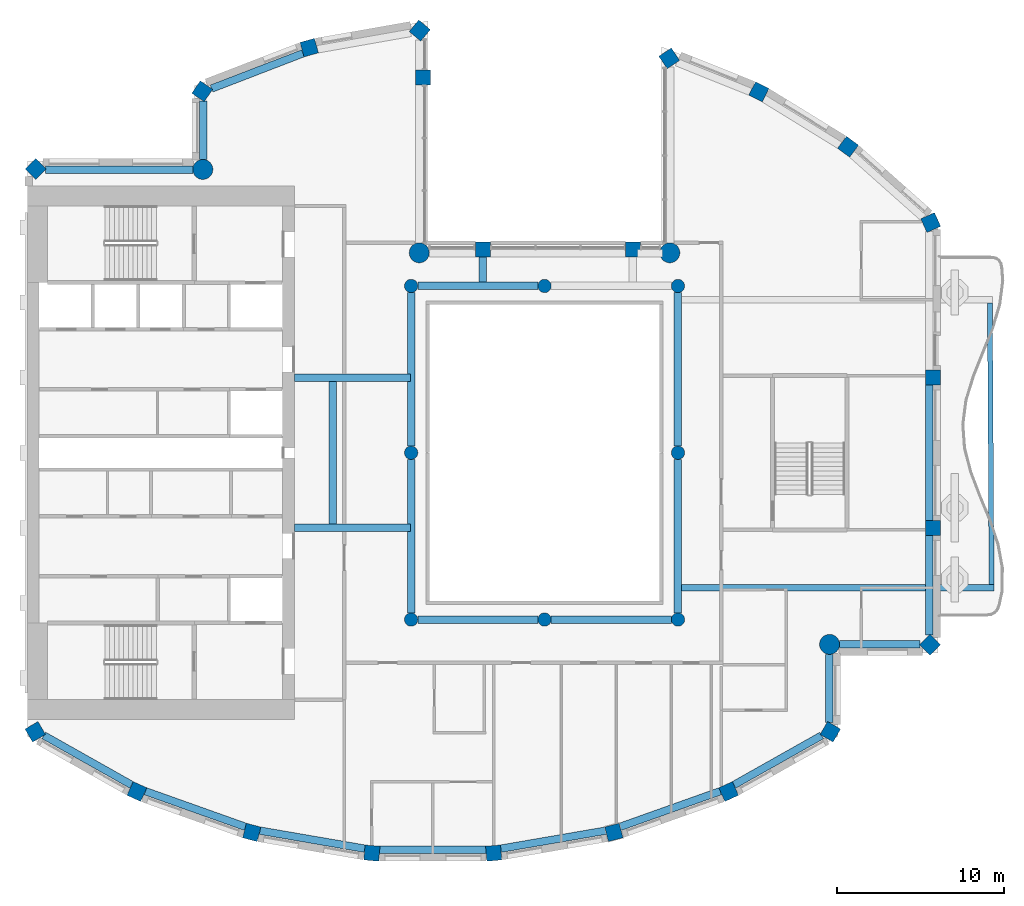
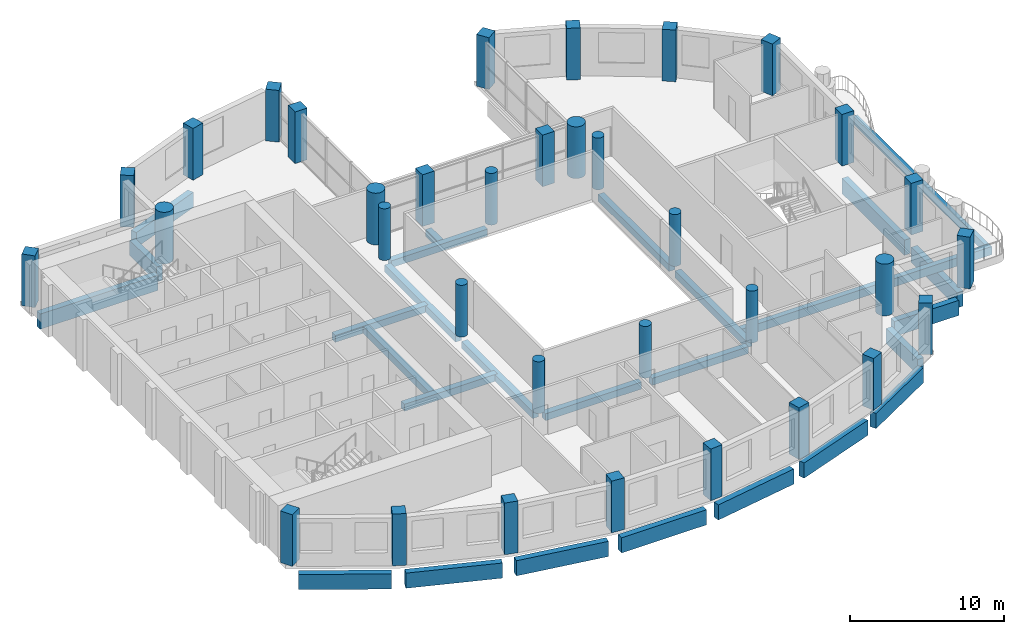
# One storey, part 1 of 15: 34 columns, 27 beams.
"""IFC4 building model written with IfcOpenShell, lengths in metres."""

from ifc_helpers import new_model, si_unit, direction, frame, origin, origin_2d, place, context, subcontext, project, spatial, rectangle, circle, extrude, material, material_profile, profile_set, type_object, element, save


model = new_model("IFC4")

# Units and contexts
model_context = context("Model", 3, precision=1e-05, world=origin(), true_north=direction((0.0, 1.0)))
body_context = subcontext(model_context, "Body", "Model", "MODEL_VIEW")
ifc_project = project(units=[si_unit("LENGTHUNIT", "METRE"), si_unit("AREAUNIT", "SQUARE_METRE"), si_unit("VOLUMEUNIT", "CUBIC_METRE"), si_unit("PLANEANGLEUNIT", "RADIAN"), si_unit("MASSUNIT", "GRAM", prefix="KILO")], contexts=[model_context])

# Site, building, storey
site_placement = place(None, origin())
site = spatial("IfcSite", under=ifc_project, at=site_placement, CompositionType="ELEMENT")
building_placement = place(site_placement, origin())
building = spatial("IfcBuilding", under=site, at=building_placement, Name="Cypress Arch Tower", CompositionType="ELEMENT")
storey_placement = place(building_placement, frame((0.0, 0.0, 317.199951171875)))
storey = spatial("IfcBuildingStorey", under=building, at=storey_placement, Name="L72", CompositionType="ELEMENT", Elevation=317.199951171875)

# Columns
ifc_material_1 = material(Name="Concrete C60/75", Category="concrete")
ifc_material_profile_1 = material_profile(ifc_material_1, rectangle(XDim=0.89990234375, YDim=0.89990234375, at=origin_2d()), Name="RC 900x900")
ifc_profile_set_1 = profile_set([ifc_material_profile_1], Name="Concrete C60/75")
column_type_1 = type_object("IfcColumnType", Name="Column RC 900x900 Concrete C60/75", PredefinedType="COLUMN", material=ifc_profile_set_1)
for number, where, z_axis, x_axis, name in (
    (1, (8.474853515625, 23.6474609375, 0.0), (0.0, 0.0, 1.0), (-0.828469606019, -0.560034027451, 0.0), "Column L72 CC00"),
    (2, (6.300048828125, 12.199951171875, 0.0), (0.0, 0.0, 1.0), (-1.0, 0.0, 0.0), "Column L72 CC02"),
    (3, (-2.699951171875, 12.199951171875, 0.0), (0.0, 0.0, 1.0), (-1.0, 0.0, 0.0), "Column L72 CC03"),
    (4, (-6.300048828125, 22.5, 0.0), (0.0, 0.0, 1.0), (0.0, 1.0, 0.0), "Column L72 CC05"),
    (5, (-6.48388671875, 25.313232421875, 0.0), (0.0, 0.0, 1.0), (-0.766063514674, 0.642764880407, 0.0), "Column L72 CC06"),
    (6, (-13.108154296875, 24.28955078125, 0.0), (0.0, 0.0, 1.0), (-0.96345574646, -0.267867550506, 0.0), "Column L72 CC07"),
    (7, (-19.5244140625, 21.673583984375, 0.0), (0.0, 0.0, 1.0), (-0.565892599589, -0.824478966215, 0.0), "Column L72 CC08"),
    (8, (-29.513671875, 17.013671875, 0.0), (0.0, 0.0, 1.0), (-0.707106781187, -0.707106781187, 0.0), "Column L72 CC10"),
    (9, (-29.534423828125, -16.72802734375, 0.0), (0.0, 0.0, 1.0), (0.504399289829, -0.86347053014, 0.0), "Column L72 CC11"),
    (10, (-23.439697265625, -20.312255859375, 0.0), (0.0, 0.0, 1.0), (0.909932071487, -0.414757308891, 0.0), "Column L72 CC12"),
    (11, (-16.55419921875, -22.762939453125, 0.0), (0.0, 0.0, 1.0), (0.96735573689, -0.2534223319, 0.0), "Column L72 CC13"),
    (12, (-9.351318359375, -24.00341796875, 0.0), (0.0, 0.0, 1.0), (0.996368206733, -0.085149260784, 0.0), "Column L72 CC14"),
    (13, (-2.048828125, -24.00341796875, 0.0), (0.0, 0.0, 1.0), (0.996368206733, 0.085149260784, 0.0), "Column L72 CC15"),
    (14, (5.154296875, -22.762939453125, 0.0), (0.0, 0.0, 1.0), (0.96735573689, 0.2534223319, 0.0), "Column L72 CC16"),
    (15, (12.039794921875, -20.312255859375, 0.0), (0.0, 0.0, 1.0), (0.909932071487, 0.414757308891, 0.0), "Column L72 CC17"),
    (16, (18.134521484375, -16.72802734375, 0.0), (0.0, 0.0, 1.0), (0.504399289829, 0.86347053014, 0.0), "Column L72 CC18"),
    (17, (24.113525390625, -11.513671875, 0.0), (0.0, 0.0, 1.0), (0.707106781187, 0.707106781187, 0.0), "Column L72 CC20"),
    (18, (24.300048828125, -4.5, 0.0), (0.0, 0.0, 1.0), (0.0, 1.0, 0.0), "Column L72 CC21"),
    (19, (24.300048828125, 4.5, 0.0), (0.0, 0.0, 1.0), (0.0, 1.0, 0.0), "Column L72 CC22"),
    (20, (24.155029296875, 13.800048828125, 0.0), (0.0, 0.0, 1.0), (-0.409765058504, 0.912191096662, 0.0), "Column L72 CC23"),
    (21, (19.197998046875, 18.347900390625, 0.0), (0.0, 0.0, 1.0), (-0.802798546114, 0.596250362144, 0.0), "Column L72 CC24"),
    (22, (13.84814453125, 21.638427734375, 0.0), (0.0, 0.0, 1.0), (-0.893106499805, 0.44984528452, 0.0), "Column L72 CC25"),
):
    element("IfcColumn", number, at=place(storey_placement, frame(where, z_axis=z_axis, x_axis=x_axis)), inside=storey, type_object=column_type_1, Name=name, PredefinedType="COLUMN", context=body_context, shape_type="SweptSolid", body=[
        extrude(rectangle(XDim=0.89990234375, YDim=0.89990234375, at=origin_2d()), origin(), (0.0, 0.0, 1.0), 4.10009765625),
    ])
ifc_material_2 = material(Name="Concrete C60/75", Category="concrete")
ifc_material_profile_2 = material_profile(ifc_material_2, circle(Radius=0.39990234375, at=origin_2d()), Name="RC D800")
ifc_profile_set_2 = profile_set([ifc_material_profile_2], Name="Concrete C60/75")
column_type_2 = type_object("IfcColumnType", Name="Column RC D800 Concrete C60/75", PredefinedType="COLUMN", material=ifc_profile_set_2)
for number, where, z_axis, x_axis, name in (
    (23, (-7.0, -10.0, 0.0), (0.0, 0.0, 1.0), (1.0, 0.0, 0.0), "Column L72 RNG-L72-G-7-10"),
    (24, (-7.0, 0.0, 0.0), (0.0, 0.0, 1.0), (1.0, 0.0, 0.0), "Column L72 RNG-L72-G-7+0"),
    (25, (-7.0, 10.0, 0.0), (0.0, 0.0, 1.0), (1.0, 0.0, 0.0), "Column L72 RNG-L72-G-7+10"),
    (26, (1.0, -10.0, 0.0), (0.0, 0.0, 1.0), (1.0, 0.0, 0.0), "Column L72 RNG-L72-G+1-10"),
    (27, (1.0, 10.0, 0.0), (0.0, 0.0, 1.0), (1.0, 0.0, 0.0), "Column L72 RNG-L72-G+1+10"),
    (28, (9.0, -10.0, 0.0), (0.0, 0.0, 1.0), (1.0, 0.0, 0.0), "Column L72 RNG-L72-G+9-10"),
    (29, (9.0, 0.0, 0.0), (0.0, 0.0, 1.0), (1.0, 0.0, 0.0), "Column L72 RNG-L72-G+9+0"),
    (30, (9.0, 10.0, 0.0), (0.0, 0.0, 1.0), (1.0, 0.0, 0.0), "Column L72 RNG-L72-G+9+10"),
):
    element("IfcColumn", number, at=place(storey_placement, frame(where, z_axis=z_axis, x_axis=x_axis)), inside=storey, type_object=column_type_2, Name=name, PredefinedType="COLUMN", context=body_context, shape_type="SweptSolid", body=[
        extrude(circle(Radius=0.39990234375, at=origin_2d()), origin(), (0.0, 0.0, 1.0), 4.10009765625),
    ])
ifc_material_3 = material(Name="Concrete C60/75", Category="concrete")
ifc_material_profile_3 = material_profile(ifc_material_3, circle(Radius=0.60009765625, at=origin_2d()), Name="RC D1200")
ifc_profile_set_3 = profile_set([ifc_material_profile_3], Name="Concrete C60/75")
column_type_3 = type_object("IfcColumnType", Name="Mega-column RC D1200 Concrete C60/75", PredefinedType="COLUMN", material=ifc_profile_set_3)
for number, where, z_axis, x_axis, name in (
    (31, (8.51220703125, 11.98779296875, 0.0), (0.0, 0.0, 1.0), (1.0, 0.0, 0.0), "Column L72 CC01"),
    (32, (-6.51220703125, 11.98779296875, 0.0), (0.0, 0.0, 1.0), (1.0, 0.0, 0.0), "Column L72 CC04"),
    (33, (-19.48779296875, 16.98779296875, 0.0), (0.0, 0.0, 1.0), (1.0, 0.0, 0.0), "Column L72 CC09"),
    (34, (18.087890625, -11.48779296875, 0.0), (0.0, 0.0, 1.0), (1.0, 0.0, 0.0), "Column L72 CC19"),
):
    element("IfcColumn", number, at=place(storey_placement, frame(where, z_axis=z_axis, x_axis=x_axis)), inside=storey, type_object=column_type_3, Name=name, PredefinedType="COLUMN", context=body_context, shape_type="SweptSolid", body=[
        extrude(circle(Radius=0.60009765625, at=origin_2d()), origin(), (0.0, 0.0, 1.0), 4.10009765625),
    ])

# Beams
ifc_material_4 = material(Name="Concrete C50/60", Category="concrete")
ifc_material_profile_4 = material_profile(ifc_material_4, rectangle(XDim=0.300048828125, YDim=0.64990234375, at=origin_2d()), Name="RC 300x650")
ifc_profile_set_4 = profile_set([ifc_material_profile_4], Name="Concrete C50/60")
beam_type_1 = type_object("IfcBeamType", Name="Balcony edge beam RC 300x650 Concrete C50/60", PredefinedType="BEAM", material=ifc_profile_set_4)
beam_1_placement = place(storey_placement, frame((27.8046875, -7.89990234375, -0.625), z_axis=(-0.006059092546, 0.99998164353, 0.0), x_axis=(-0.99998164353, -0.006059092546, 0.0)))
element("IfcBeam", 35, at=beam_1_placement, inside=storey, type_object=beam_type_1, Name="Balcony edge beam L72 C17", PredefinedType="BEAM", context=body_context, shape_type="SweptSolid", body=[
    extrude(rectangle(XDim=0.300048828125, YDim=0.64990234375, at=origin_2d()), origin(), (0.0, 0.0, 1.0), 16.8828125),
])
ifc_material_5 = material(Name="Concrete C50/60", Category="concrete")
ifc_material_profile_5 = material_profile(ifc_material_5, rectangle(XDim=0.39990234375, YDim=0.64990234375, at=origin_2d()), Name="RC 400x650")
ifc_profile_set_5 = profile_set([ifc_material_profile_5], Name="Concrete C50/60")
beam_type_2 = type_object("IfcBeamType", Name="Cantilever beam RC 400x650 Concrete C50/60", PredefinedType="BEAM", material=ifc_profile_set_5)
beam_2_placement = place(storey_placement, frame((9.22509765625, -8.10009765625, -0.625), z_axis=(1.0, 0.0, 0.0), x_axis=(0.0, 1.0, 0.0)))
element("IfcBeam", 36, at=beam_2_placement, inside=storey, type_object=beam_type_2, Name="Cantilever beam L72 C17 1", PredefinedType="BEAM", context=body_context, shape_type="SweptSolid", body=[
    extrude(rectangle(XDim=0.39990234375, YDim=0.64990234375, at=origin_2d()), origin(), (0.0, 0.0, 1.0), 18.7294921875),
])
ifc_material_6 = material(Name="Concrete C50/60", Category="concrete")
ifc_material_profile_6 = material_profile(ifc_material_6, rectangle(XDim=0.449951171875, YDim=0.550048828125, at=origin_2d()), Name="RC 450x550")
ifc_profile_set_6 = profile_set([ifc_material_profile_6], Name="Concrete C50/60")
beam_type_3 = type_object("IfcBeamType", Name="Floor beam RC 450x550 Concrete C50/60", PredefinedType="BEAM", material=ifc_profile_set_6)
for number, where, z_axis, x_axis, name in (
    (37, (-7.0, -9.60009765625, -0.574951171875), (0.0, 1.0, 0.0), (-1.0, 0.0, 0.0), "Floor beam L72 RB001"),
    (38, (-7.0, 0.39990234375, -0.574951171875), (0.0, 1.0, 0.0), (-1.0, 0.0, 0.0), "Floor beam L72 RB002"),
    (39, (9.0, -9.60009765625, -0.574951171875), (0.0, 1.0, 0.0), (-1.0, 0.0, 0.0), "Floor beam L72 RB003"),
    (40, (9.0, 0.39990234375, -0.574951171875), (0.0, 1.0, 0.0), (-1.0, 0.0, 0.0), "Floor beam L72 RB004"),
):
    element("IfcBeam", number, at=place(storey_placement, frame(where, z_axis=z_axis, x_axis=x_axis)), inside=storey, type_object=beam_type_3, Name=name, PredefinedType="BEAM", context=body_context, shape_type="SweptSolid", body=[
        extrude(rectangle(XDim=0.449951171875, YDim=0.550048828125, at=origin_2d()), origin(), (0.0, 0.0, 1.0), 9.2001953125),
    ])
for number, where, z_axis, x_axis, name in (
    (41, (-6.60009765625, -10.0, -0.574951171875), (1.0, 0.0, 0.0), (0.0, 1.0, 0.0), "Floor beam L72 RB005"),
    (42, (1.39990234375, -10.0, -0.574951171875), (1.0, 0.0, 0.0), (0.0, 1.0, 0.0), "Floor beam L72 RB006"),
    (43, (-6.60009765625, 10.0, -0.574951171875), (1.0, 0.0, 0.0), (0.0, 1.0, 0.0), "Floor beam L72 RB007"),
):
    element("IfcBeam", number, at=place(storey_placement, frame(where, z_axis=z_axis, x_axis=x_axis)), inside=storey, type_object=beam_type_3, Name=name, PredefinedType="BEAM", context=body_context, shape_type="SweptSolid", body=[
        extrude(rectangle(XDim=0.449951171875, YDim=0.550048828125, at=origin_2d()), origin(), (0.0, 0.0, 1.0), 7.2001953125),
    ])
for number, where, z_axis, x_axis, name in (
    (44, (-14.0, -4.5, -0.574951171875), (1.0, 0.0, 0.0), (0.0, 1.0, 0.0), "Floor beam L72 FB009"),
    (45, (-14.0, 4.5, -0.574951171875), (1.0, 0.0, 0.0), (0.0, 1.0, 0.0), "Floor beam L72 FB010"),
):
    element("IfcBeam", number, at=place(storey_placement, frame(where, z_axis=z_axis, x_axis=x_axis)), inside=storey, type_object=beam_type_3, Name=name, PredefinedType="BEAM", context=body_context, shape_type="SweptSolid", body=[
        extrude(rectangle(XDim=0.449951171875, YDim=0.550048828125, at=origin_2d()), origin(), (0.0, 0.0, 1.0), 6.949951171875),
    ])
beam_3_placement = place(storey_placement, frame((-11.699951171875, -4.27490234375, -0.574951171875), z_axis=(0.0, 1.0, 0.0), x_axis=(-1.0, 0.0, 0.0)))
element("IfcBeam", 46, at=beam_3_placement, inside=storey, type_object=beam_type_3, Name="Floor beam L72 FB011", PredefinedType="BEAM", context=body_context, shape_type="SweptSolid", body=[
    extrude(rectangle(XDim=0.449951171875, YDim=0.550048828125, at=origin_2d()), origin(), (0.0, 0.0, 1.0), 8.5498046875),
])
beam_4_placement = place(storey_placement, frame((-2.699951171875, 10.22509765625, -0.574951171875), z_axis=(0.0, 1.0, 0.0), x_axis=(-1.0, 0.0, 0.0)))
element("IfcBeam", 47, at=beam_4_placement, inside=storey, type_object=beam_type_3, Name="Floor beam L72 FB012", PredefinedType="BEAM", context=body_context, shape_type="SweptSolid", body=[
    extrude(rectangle(XDim=0.449951171875, YDim=0.550048828125, at=origin_2d()), origin(), (0.0, 0.0, 1.0), 1.52490234375),
])
ifc_material_7 = material(Name="Concrete C50/60", Category="concrete")
ifc_material_profile_7 = material_profile(ifc_material_7, rectangle(XDim=0.449951171875, YDim=1.199951171875, at=origin_2d()), Name="RC 450x1200")
ifc_profile_set_7 = profile_set([ifc_material_profile_7], Name="Concrete C50/60")
beam_type_4 = type_object("IfcBeamType", Name="Spandrel beam RC 450x1200 Concrete C50/60", PredefinedType="SPANDREL", material=ifc_profile_set_7)
beam_5_placement = place(storey_placement, frame((-13.48046875, 23.94921875, -1.550048828125), z_axis=(-0.933138853319, -0.359516175472, 0.0), x_axis=(0.359516175472, -0.933138853319, 0.0)))
element("IfcBeam", 48, at=beam_5_placement, inside=storey, type_object=beam_type_4, Name="Spandrel beam L72 BC04-0", PredefinedType="SPANDREL", context=body_context, shape_type="SweptSolid", body=[
    extrude(rectangle(XDim=0.449951171875, YDim=1.199951171875, at=origin_2d()), origin(), (0.0, 0.0, 1.0), 5.878173828125),
])
beam_6_placement = place(storey_placement, frame((-19.47509765625, 21.09375, -1.550048828125), z_axis=(0.0, -1.0, 0.0), x_axis=(1.0, 0.0, 0.0)))
element("IfcBeam", 49, at=beam_6_placement, inside=storey, type_object=beam_type_4, Name="Spandrel beam L72 BC05-0", PredefinedType="SPANDREL", context=body_context, shape_type="SweptSolid", body=[
    extrude(rectangle(XDim=0.449951171875, YDim=1.199951171875, at=origin_2d()), origin(), (0.0, 0.0, 1.0), 3.506103515625),
])
beam_7_placement = place(storey_placement, frame((-20.087646484375, 16.97509765625, -1.550048828125), z_axis=(-1.0, 0.0, 0.0), x_axis=(0.0, -1.0, 0.0)))
element("IfcBeam", 50, at=beam_7_placement, inside=storey, type_object=beam_type_4, Name="Spandrel beam L72 BC06-0", PredefinedType="SPANDREL", context=body_context, shape_type="SweptSolid", body=[
    extrude(rectangle(XDim=0.449951171875, YDim=1.199951171875, at=origin_2d()), origin(), (0.0, 0.0, 1.0), 8.828125),
])
beam_8_placement = place(storey_placement, frame((-29.02099609375, -16.94921875, -1.550048828125), z_axis=(0.871059543975, -0.491177433165, 0.0), x_axis=(0.491177433165, 0.871059543975, 0.0)))
element("IfcBeam", 51, at=beam_8_placement, inside=storey, type_object=beam_type_4, Name="Spandrel beam L72 BC08-0", PredefinedType="SPANDREL", context=body_context, shape_type="SweptSolid", body=[
    extrude(rectangle(XDim=0.449951171875, YDim=1.199951171875, at=origin_2d()), origin(), (0.0, 0.0, 1.0), 6.045654296875),
])
beam_9_placement = place(storey_placement, frame((-22.93603515625, -20.2919921875, -1.550048828125), z_axis=(0.942120065582, -0.33527568064, 0.0), x_axis=(0.33527568064, 0.942120065582, 0.0)))
element("IfcBeam", 52, at=beam_9_placement, inside=storey, type_object=beam_type_4, Name="Spandrel beam L72 BC09-0", PredefinedType="SPANDREL", context=body_context, shape_type="SweptSolid", body=[
    extrude(rectangle(XDim=0.449951171875, YDim=1.199951171875, at=origin_2d()), origin(), (0.0, 0.0, 1.0), 6.373046875),
])
beam_10_placement = place(storey_placement, frame((-16.061279296875, -22.656982421875, -1.550048828125), z_axis=(0.985502990778, -0.169658053646, 0.0), x_axis=(0.169658053646, 0.985502990778, 0.0)))
element("IfcBeam", 53, at=beam_10_placement, inside=storey, type_object=beam_type_4, Name="Spandrel beam L72 BC10-0", PredefinedType="SPANDREL", context=body_context, shape_type="SweptSolid", body=[
    extrude(rectangle(XDim=0.449951171875, YDim=1.199951171875, at=origin_2d()), origin(), (0.0, 0.0, 1.0), 6.373291015625),
])
beam_11_placement = place(storey_placement, frame((-8.883544921875, -23.81494140625, -1.550048828125), z_axis=(1.0, 0.0, 0.0), x_axis=(0.0, 1.0, 0.0)))
element("IfcBeam", 54, at=beam_11_placement, inside=storey, type_object=beam_type_4, Name="Spandrel beam L72 BC11-0", PredefinedType="SPANDREL", context=body_context, shape_type="SweptSolid", body=[
    extrude(rectangle(XDim=0.449951171875, YDim=1.199951171875, at=origin_2d()), origin(), (0.0, 0.0, 1.0), 6.366943359375),
])
beam_12_placement = place(storey_placement, frame((-1.619873046875, -23.73828125, -1.550048828125), z_axis=(0.985504093315, 0.169651649149, 0.0), x_axis=(-0.169651649149, 0.985504093315, 0.0)))
element("IfcBeam", 55, at=beam_12_placement, inside=storey, type_object=beam_type_4, Name="Spandrel beam L72 BC12-0", PredefinedType="SPANDREL", context=body_context, shape_type="SweptSolid", body=[
    extrude(rectangle(XDim=0.449951171875, YDim=1.199951171875, at=origin_2d()), origin(), (0.0, 0.0, 1.0), 6.37353515625),
])
beam_13_placement = place(storey_placement, frame((5.531982421875, -22.4287109375, -1.550048828125), z_axis=(0.942115759102, 0.335287781541, 0.0), x_axis=(-0.335287781541, 0.942115759102, 0.0)))
element("IfcBeam", 56, at=beam_13_placement, inside=storey, type_object=beam_type_4, Name="Spandrel beam L72 BC13-0", PredefinedType="SPANDREL", context=body_context, shape_type="SweptSolid", body=[
    extrude(rectangle(XDim=0.449951171875, YDim=1.199951171875, at=origin_2d()), origin(), (0.0, 0.0, 1.0), 6.372802734375),
])
beam_14_placement = place(storey_placement, frame((12.35498046875, -19.918701171875, -1.550048828125), z_axis=(0.871059543975, 0.491177433165, 0.0), x_axis=(-0.491177433165, 0.871059543975, 0.0)))
element("IfcBeam", 57, at=beam_14_placement, inside=storey, type_object=beam_type_4, Name="Spandrel beam L72 BC14-0", PredefinedType="SPANDREL", context=body_context, shape_type="SweptSolid", body=[
    extrude(rectangle(XDim=0.449951171875, YDim=1.199951171875, at=origin_2d()), origin(), (0.0, 0.0, 1.0), 6.045654296875),
])
beam_15_placement = place(storey_placement, frame((18.074951171875, -16.172119140625, -1.550048828125), z_axis=(0.0, 1.0, 0.0), x_axis=(-1.0, 0.0, 0.0)))
element("IfcBeam", 58, at=beam_15_placement, inside=storey, type_object=beam_type_4, Name="Spandrel beam L72 BC15-0", PredefinedType="SPANDREL", context=body_context, shape_type="SweptSolid", body=[
    extrude(rectangle(XDim=0.449951171875, YDim=1.199951171875, at=origin_2d()), origin(), (0.0, 0.0, 1.0), 4.08447265625),
])
beam_16_placement = place(storey_placement, frame((18.6875, -11.47509765625, -1.550048828125), z_axis=(1.0, 0.0, 0.0), x_axis=(0.0, 1.0, 0.0)))
element("IfcBeam", 59, at=beam_16_placement, inside=storey, type_object=beam_type_4, Name="Spandrel beam L72 BC16-0", PredefinedType="SPANDREL", context=body_context, shape_type="SweptSolid", body=[
    extrude(rectangle(XDim=0.449951171875, YDim=1.199951171875, at=origin_2d()), origin(), (0.0, 0.0, 1.0), 4.828369140625),
])
beam_17_placement = place(storey_placement, frame((24.074951171875, -10.915771484375, -1.550048828125), z_axis=(0.0, 1.0, 0.0), x_axis=(-1.0, 0.0, 0.0)))
element("IfcBeam", 60, at=beam_17_placement, inside=storey, type_object=beam_type_4, Name="Spandrel beam L72 BC17-0", PredefinedType="SPANDREL", context=body_context, shape_type="SweptSolid", body=[
    extrude(rectangle(XDim=0.449951171875, YDim=1.199951171875, at=origin_2d()), origin(), (0.0, 0.0, 1.0), 5.9658203125),
])
beam_18_placement = place(storey_placement, frame((24.074951171875, -4.050048828125, -1.550048828125), z_axis=(0.0, 1.0, 0.0), x_axis=(-1.0, 0.0, 0.0)))
element("IfcBeam", 61, at=beam_18_placement, inside=storey, type_object=beam_type_4, Name="Spandrel beam L72 BC17-1", PredefinedType="SPANDREL", context=body_context, shape_type="SweptSolid", body=[
    extrude(rectangle(XDim=0.449951171875, YDim=1.199951171875, at=origin_2d()), origin(), (0.0, 0.0, 1.0), 8.10009765625),
])

save(model, "model.ifc")
